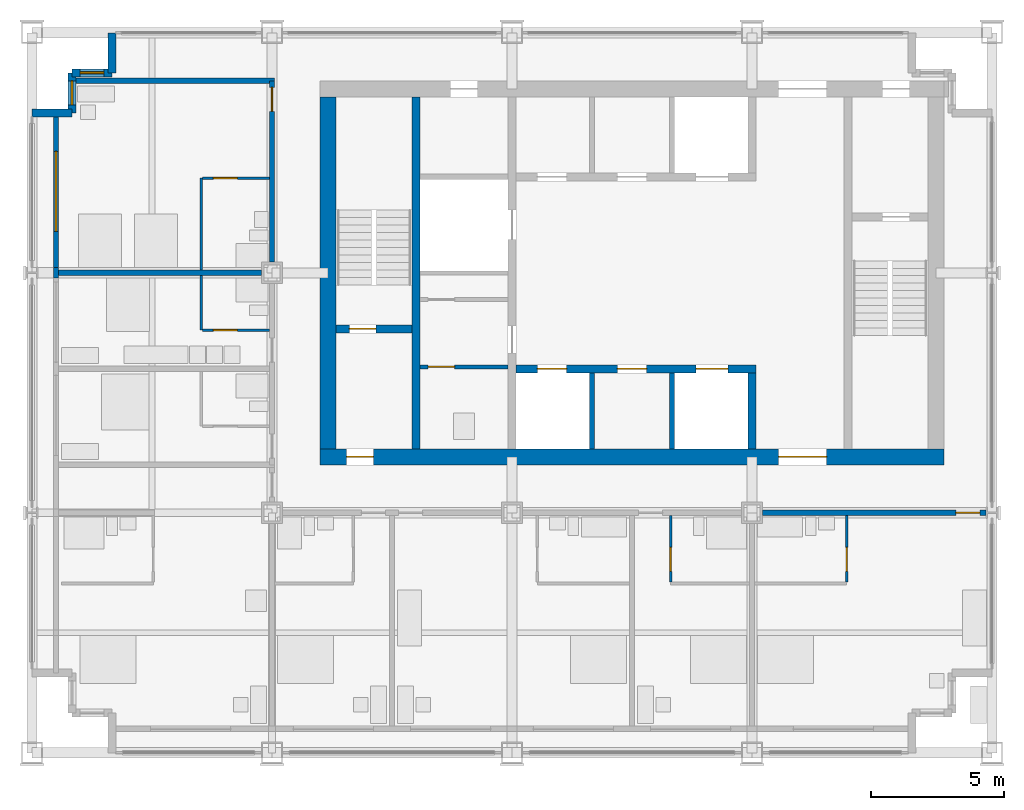
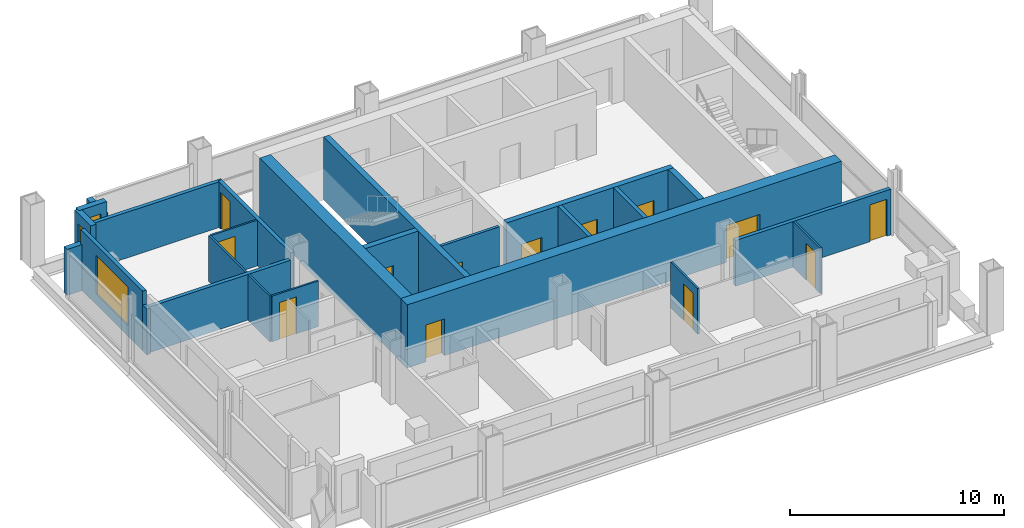
# One storey, part 7 of 12: 25 walls, 13 doors, 3 windows, 16 openings.
"""IFC4 building model written with IfcOpenShell, lengths in metres."""

from ifc_helpers import new_model, si_unit, direction, frame, frame_2d, origin, place, context, subcontext, project, spatial, rectangle, extrude, material, layer, layer_set, type_object, element, fill, save


model = new_model("IFC4")

# Units and contexts
model_context = context("Model", 3, precision=1e-05, world=origin(), true_north=direction((0.0, 1.0)))
body_context = subcontext(model_context, "Body", "Model", "MODEL_VIEW")
ifc_project = project(units=[si_unit("LENGTHUNIT", "METRE"), si_unit("AREAUNIT", "SQUARE_METRE"), si_unit("VOLUMEUNIT", "CUBIC_METRE"), si_unit("PLANEANGLEUNIT", "RADIAN"), si_unit("MASSUNIT", "GRAM", prefix="KILO")], contexts=[model_context])

# Site, building, storey
site_placement = place(None, origin())
site = spatial("IfcSite", under=ifc_project, at=site_placement, CompositionType="ELEMENT")
building_placement = place(site_placement, origin())
building = spatial("IfcBuilding", under=site, at=building_placement, Name="Loomwork Tower", CompositionType="ELEMENT")
storey_placement = place(building_placement, frame((0.0, 0.0, 230.199951171875)))
storey = spatial("IfcBuildingStorey", under=building, at=storey_placement, Name="L63", CompositionType="ELEMENT", Elevation=230.199951171875)

# Wall
ifc_material_1 = material(Name="Concrete 14000 psi (97 MPa)", Category="concrete")
ifc_layer_1 = layer(ifc_material_1, 0.300048828125)
ifc_layer_set_1 = layer_set([ifc_layer_1], Name="Core shear wall 300")
wall_type_1 = type_object("IfcWallType", Name="Core shear wall 300", PredefinedType="SHEAR", material=ifc_layer_set_1)
wall_1_placement = place(storey_placement, frame((14.39990234375, 11.39990234375, 0.0), z_axis=(0.0, 0.0, 1.0), x_axis=(0.0, 1.0, 0.0)))
element("IfcWall", 1, at=wall_1_placement, inside=storey, type_object=wall_type_1, Name="Stair A east wall L63", PredefinedType="SHEAR", context=body_context, shape_type="SweptSolid", body=[
    extrude(rectangle(XDim=13.2001953125, YDim=0.300048828125, at=frame_2d((6.60009765625, 0.0))), origin(), (0.0, 0.0, 1.0), 3.60009765625),
])

# Wall, opening, door
wall_2_placement = place(storey_placement, frame((11.39990234375, 15.89990234375, 0.0), z_axis=(0.0, 0.0, 1.0), x_axis=(1.0, 0.0, 0.0)))
wall_2 = element("IfcWall", 2, at=wall_2_placement, inside=storey, type_object=wall_type_1, Name="Stair A south wall L63", PredefinedType="SHEAR", context=body_context, shape_type="SweptSolid", body=[
    extrude(rectangle(XDim=2.85009765625, YDim=0.300048828125, at=frame_2d((1.425048828125, 0.0))), origin(), (0.0, 0.0, 1.0), 3.60009765625),
])
opening_1_placement = place(wall_2_placement, frame((0.5, 0.0, 0.0)))
opening_1 = element("IfcOpeningElement", 3, at=opening_1_placement, cuts=wall_2, Name="Opening D4", PredefinedType="OPENING", context=body_context, shape_type="SweptSolid", body=[
    extrude(rectangle(XDim=1.0, YDim=2.10009765625, at=frame_2d((0.5, 1.050048828125))), frame((0.0, 0.159912109375, 0.0), z_axis=(0.0, -1.0, 0.0), x_axis=(1.0, 0.0, 0.0)), (0.0, 0.0, 1.0), 0.320068359375),
])
ifc_material_2 = material(Name="Hollow metal door and frame")
door_type_1 = type_object("IfcDoorType", Name="Stair door 1000", OperationType="SINGLE_SWING_RIGHT", PredefinedType="DOOR", material=ifc_material_2)
door_1_placement = place(opening_1_placement, origin())
door_1 = element("IfcDoor", 4, at=door_1_placement, inside=storey, type_object=door_type_1, Name="Stair A door", OperationType="SINGLE_SWING_LEFT", OverallHeight=2.10009765625, OverallWidth=1.0, PredefinedType="DOOR", context=body_context, shape_type="SweptSolid", body=[
    extrude(rectangle(XDim=1.0, YDim=2.10009765625, at=frame_2d((0.5, 1.050048828125))), frame((0.0, 0.02490234375, 0.0), z_axis=(0.0, -1.0, 0.0), x_axis=(1.0, 0.0, 0.0)), (0.0, 0.0, 1.0), 0.050048828125),
])
fill(opening_1, door_1)

# Wall, openings, doors
wall_3_placement = place(storey_placement, frame((18.14990234375, 14.39990234375, 0.0), z_axis=(0.0, 0.0, 1.0), x_axis=(1.0, 0.0, 0.0)))
wall_3 = element("IfcWall", 5, at=wall_3_placement, inside=storey, type_object=wall_type_1, Name="Lift front wall south L63", PredefinedType="SHEAR", context=body_context, shape_type="SweptSolid", body=[
    extrude(rectangle(XDim=9.0, YDim=0.300048828125, at=frame_2d((4.5, 0.0))), origin(), (0.0, 0.0, 1.0), 3.60009765625),
])
opening_2_placement = place(wall_3_placement, frame((0.800048828125, 0.0, 0.0)))
opening_2 = element("IfcOpeningElement", 6, at=opening_2_placement, cuts=wall_3, Name="Opening LD1", PredefinedType="OPENING", context=body_context, shape_type="SweptSolid", body=[
    extrude(rectangle(XDim=1.10009765625, YDim=2.10009765625, at=frame_2d((0.550048828125, 1.050048828125))), frame((0.0, 0.159912109375, 0.0), z_axis=(0.0, -1.0, 0.0), x_axis=(1.0, 0.0, 0.0)), (0.0, 0.0, 1.0), 0.320068359375),
])
opening_3_placement = place(wall_3_placement, frame((6.75, 0.0, 0.0)))
opening_3 = element("IfcOpeningElement", 7, at=opening_3_placement, cuts=wall_3, Name="Opening LD2", PredefinedType="OPENING", context=body_context, shape_type="SweptSolid", body=[
    extrude(rectangle(XDim=1.199951171875, YDim=2.10009765625, at=frame_2d((0.60009765625, 1.050048828125))), frame((0.0, 0.159912109375, 0.0), z_axis=(0.0, -1.0, 0.0), x_axis=(1.0, 0.0, 0.0)), (0.0, 0.0, 1.0), 0.320068359375),
])
opening_4_placement = place(wall_3_placement, frame((3.800048828125, 0.0, 0.0)))
opening_4 = element("IfcOpeningElement", 8, at=opening_4_placement, cuts=wall_3, Name="Opening D17", PredefinedType="OPENING", context=body_context, shape_type="SweptSolid", body=[
    extrude(rectangle(XDim=1.10009765625, YDim=2.10009765625, at=frame_2d((0.550048828125, 1.050048828125))), frame((0.0, 0.159912109375, 0.0), z_axis=(0.0, -1.0, 0.0), x_axis=(1.0, 0.0, 0.0)), (0.0, 0.0, 1.0), 0.320068359375),
])
ifc_material_3 = material(Name="Hollow metal door and frame")
door_type_2 = type_object("IfcDoorType", Name="Lift landing door 1100", OperationType="SLIDING_TO_LEFT", PredefinedType="DOOR", material=ifc_material_3)
door_2_placement = place(opening_2_placement, origin())
door_2 = element("IfcDoor", 9, at=door_2_placement, inside=storey, type_object=door_type_2, Name="Lift landing door LC1", OperationType="SLIDING_TO_LEFT", OverallHeight=2.10009765625, OverallWidth=1.10009765625, PredefinedType="DOOR", context=body_context, shape_type="SweptSolid", body=[
    extrude(rectangle(XDim=1.10009765625, YDim=2.10009765625, at=frame_2d((0.550048828125, 1.050048828125))), frame((0.0, 0.02490234375, 0.0), z_axis=(0.0, -1.0, 0.0), x_axis=(1.0, 0.0, 0.0)), (0.0, 0.0, 1.0), 0.050048828125),
])
fill(opening_2, door_2)
ifc_material_4 = material(Name="Hollow metal door and frame")
door_type_3 = type_object("IfcDoorType", Name="Lift landing door 1200", OperationType="SLIDING_TO_LEFT", PredefinedType="DOOR", material=ifc_material_4)
door_3_placement = place(opening_3_placement, origin())
door_3 = element("IfcDoor", 10, at=door_3_placement, inside=storey, type_object=door_type_3, Name="Lift landing door LF1", OperationType="SLIDING_TO_LEFT", OverallHeight=2.10009765625, OverallWidth=1.199951171875, PredefinedType="DOOR", context=body_context, shape_type="SweptSolid", body=[
    extrude(rectangle(XDim=1.199951171875, YDim=2.10009765625, at=frame_2d((0.60009765625, 1.050048828125))), frame((0.0, 0.02490234375, 0.0), z_axis=(0.0, -1.0, 0.0), x_axis=(1.0, 0.0, 0.0)), (0.0, 0.0, 1.0), 0.050048828125),
])
fill(opening_3, door_3)
ifc_material_5 = material(Name="Hollow metal door and frame")
door_type_4 = type_object("IfcDoorType", Name="Service room door 1100", OperationType="SINGLE_SWING_LEFT", PredefinedType="DOOR", material=ifc_material_5)
door_4_placement = place(opening_4_placement, frame((1.10009765625, 0.0, 0.0), z_axis=(0.0, 0.0, 1.0), x_axis=(-1.0, 0.0, 0.0)))
door_4 = element("IfcDoor", 11, at=door_4_placement, inside=storey, type_object=door_type_4, Name="Housekeeping store door L63", OperationType="SINGLE_SWING_RIGHT", OverallHeight=2.10009765625, OverallWidth=1.10009765625, PredefinedType="DOOR", context=body_context, shape_type="SweptSolid", body=[
    extrude(rectangle(XDim=1.10009765625, YDim=2.10009765625, at=frame_2d((0.550048828125, 1.050048828125))), frame((0.0, 0.02490234375, 0.0), z_axis=(0.0, -1.0, 0.0), x_axis=(1.0, 0.0, 0.0)), (0.0, 0.0, 1.0), 0.050048828125),
])
fill(opening_4, door_4)

# Wall
wall_4_placement = place(storey_placement, frame((27.0, 11.39990234375, 0.0), z_axis=(0.0, 0.0, 1.0), x_axis=(0.0, 1.0, 0.0)))
element("IfcWall", 12, at=wall_4_placement, inside=storey, type_object=wall_type_1, Name="Lift shaft end wall south L63", PredefinedType="SHEAR", context=body_context, shape_type="SweptSolid", body=[
    extrude(rectangle(XDim=2.85009765625, YDim=0.300048828125, at=frame_2d((1.425048828125, 0.0))), origin(), (0.0, 0.0, 1.0), 3.60009765625),
])

# Wall, openings, doors
ifc_material_6 = material(Name="Concrete 14000 psi (97 MPa)", Category="concrete")
ifc_layer_2 = layer(ifc_material_6, 0.60009765625)
ifc_layer_set_2 = layer_set([ifc_layer_2], Name="Core shear wall 600")
wall_type_2 = type_object("IfcWallType", Name="Core shear wall 600", PredefinedType="SHEAR", material=ifc_layer_set_2)
wall_5_placement = place(storey_placement, frame((10.800048828125, 11.10009765625, 0.0), z_axis=(0.0, 0.0, 1.0), x_axis=(1.0, 0.0, 0.0)))
wall_5 = element("IfcWall", 13, at=wall_5_placement, inside=storey, type_object=wall_type_2, Name="Core wall south L63", PredefinedType="SHEAR", context=body_context, shape_type="SweptSolid", body=[
    extrude(rectangle(XDim=23.39990234375, YDim=0.60009765625, at=frame_2d((11.699951171875, 0.0))), origin(), (0.0, 0.0, 1.0), 3.60009765625),
])
opening_5_placement = place(wall_5_placement, frame((1.0, 0.0, 0.0)))
opening_5 = element("IfcOpeningElement", 14, at=opening_5_placement, cuts=wall_5, Name="Opening D4", PredefinedType="OPENING", context=body_context, shape_type="SweptSolid", body=[
    extrude(rectangle(XDim=1.0, YDim=2.10009765625, at=frame_2d((0.5, 1.050048828125))), frame((0.0, 0.31005859375, 0.0), z_axis=(0.0, -1.0, 0.0), x_axis=(1.0, 0.0, 0.0)), (0.0, 0.0, 1.0), 0.6201171875),
])
opening_6_placement = place(wall_5_placement, frame((17.199951171875, 0.0, 0.0)))
opening_6 = element("IfcOpeningElement", 15, at=opening_6_placement, cuts=wall_5, Name="Opening D6", PredefinedType="OPENING", context=body_context, shape_type="SweptSolid", body=[
    extrude(rectangle(XDim=1.800048828125, YDim=2.10009765625, at=frame_2d((0.89990234375, 1.050048828125))), frame((0.0, 0.31005859375, 0.0), z_axis=(0.0, -1.0, 0.0), x_axis=(1.0, 0.0, 0.0)), (0.0, 0.0, 1.0), 0.6201171875),
])
ifc_material_7 = material(Name="Hollow metal door and frame")
door_type_5 = type_object("IfcDoorType", Name="Lobby passage double door 1800", OperationType="DOUBLE_DOOR_SINGLE_SWING", PredefinedType="DOOR", material=ifc_material_7)
door_5_placement = place(opening_6_placement, origin())
door_5 = element("IfcDoor", 16, at=door_5_placement, inside=storey, type_object=door_type_5, Name="Lobby passage door south", OperationType="DOUBLE_DOOR_SINGLE_SWING", OverallHeight=2.10009765625, OverallWidth=1.800048828125, PredefinedType="DOOR", context=body_context, shape_type="SweptSolid", body=[
    extrude(rectangle(XDim=1.800048828125, YDim=2.10009765625, at=frame_2d((0.89990234375, 1.050048828125))), frame((0.0, 0.02490234375, 0.0), z_axis=(0.0, -1.0, 0.0), x_axis=(1.0, 0.0, 0.0)), (0.0, 0.0, 1.0), 0.050048828125),
])
fill(opening_6, door_5)
door_6_placement = place(opening_5_placement, origin())
door_6 = element("IfcDoor", 17, at=door_6_placement, inside=storey, type_object=door_type_1, Name="Stair A vestibule door", OperationType="SINGLE_SWING_LEFT", OverallHeight=2.10009765625, OverallWidth=1.0, PredefinedType="DOOR", context=body_context, shape_type="SweptSolid", body=[
    extrude(rectangle(XDim=1.0, YDim=2.10009765625, at=frame_2d((0.5, 1.050048828125))), frame((0.0, 0.02490234375, 0.0), z_axis=(0.0, -1.0, 0.0), x_axis=(1.0, 0.0, 0.0)), (0.0, 0.0, 1.0), 0.050048828125),
])
fill(opening_5, door_6)

# Wall
wall_6_placement = place(storey_placement, frame((11.10009765625, 11.39990234375, 0.0), z_axis=(0.0, 0.0, 1.0), x_axis=(0.0, 1.0, 0.0)))
element("IfcWall", 18, at=wall_6_placement, inside=storey, type_object=wall_type_2, Name="Core wall west L63", PredefinedType="SHEAR", context=body_context, shape_type="SweptSolid", body=[
    extrude(rectangle(XDim=13.2001953125, YDim=0.60009765625, at=frame_2d((6.60009765625, 0.0))), origin(), (0.0, 0.0, 1.0), 3.60009765625),
])

# Wall, opening, door
ifc_material_8 = material(Name="Gypsum board on steel studs, one-hour", Category="steel")
ifc_layer_3 = layer(ifc_material_8, 0.199951171875)
ifc_layer_set_3 = layer_set([ifc_layer_3], Name="Corridor wall 200")
wall_type_3 = type_object("IfcWallType", Name="Corridor wall 200", PredefinedType="PARTITIONING", material=ifc_layer_set_3)
wall_7_placement = place(storey_placement, frame((27.39990234375, 9.0, 0.0), z_axis=(0.0, 0.0, 1.0), x_axis=(1.0, 0.0, 0.0)))
wall_7 = element("IfcWall", 19, at=wall_7_placement, inside=storey, type_object=wall_type_3, Name="South corridor wall 4", PredefinedType="PARTITIONING", context=body_context, shape_type="SweptSolid", body=[
    extrude(rectangle(XDim=8.36767578125, YDim=0.199951171875, at=frame_2d((4.183837890625, 0.0))), origin(), (0.0, 0.0, 1.0), 2.60498046875),
])
opening_7_placement = place(wall_7_placement, frame((7.25, 0.0, 0.0)))
opening_7 = element("IfcOpeningElement", 20, at=opening_7_placement, cuts=wall_7, Name="Opening D1", PredefinedType="OPENING", context=body_context, shape_type="SweptSolid", body=[
    extrude(rectangle(XDim=0.89990234375, YDim=2.10009765625, at=frame_2d((0.449951171875, 1.050048828125))), frame((0.0, 0.10986328125, 0.0), z_axis=(0.0, -1.0, 0.0), x_axis=(1.0, 0.0, 0.0)), (0.0, 0.0, 1.0), 0.219970703125),
])
ifc_material_9 = material(Name="Hollow metal door and frame")
door_type_6 = type_object("IfcDoorType", Name="Guest room entry door 900", OperationType="SINGLE_SWING_LEFT", PredefinedType="DOOR", material=ifc_material_9)
door_7_placement = place(opening_7_placement, frame((0.89990234375, 0.0, 0.0), z_axis=(0.0, 0.0, 1.0), x_axis=(-1.0, 0.0, 0.0)))
door_7 = element("IfcDoor", 21, at=door_7_placement, inside=storey, type_object=door_type_6, Name="Guest room entry door L63 5", OperationType="SINGLE_SWING_RIGHT", OverallHeight=2.10009765625, OverallWidth=0.89990234375, PredefinedType="DOOR", context=body_context, shape_type="SweptSolid", body=[
    extrude(rectangle(XDim=0.89990234375, YDim=2.10009765625, at=frame_2d((0.449951171875, 1.050048828125))), frame((0.0, 0.02490234375, 0.0), z_axis=(0.0, -1.0, 0.0), x_axis=(1.0, 0.0, 0.0)), (0.0, 0.0, 1.0), 0.050048828125),
])
fill(opening_7, door_7)

wall_8_placement = place(storey_placement, frame((9.0, 18.39990234375, 0.0), z_axis=(0.0, 0.0, 1.0), x_axis=(0.0, 1.0, 0.0)))
wall_8 = element("IfcWall", 22, at=wall_8_placement, inside=storey, type_object=wall_type_3, Name="West corridor wall 2", PredefinedType="PARTITIONING", context=body_context, shape_type="SweptSolid", body=[
    extrude(rectangle(XDim=6.800048828125, YDim=0.199951171875, at=frame_2d((3.39990234375, 0.0))), origin(), (0.0, 0.0, 1.0), 2.60498046875),
])
opening_8_placement = place(wall_8_placement, frame((5.64990234375, 0.0, 0.0)))
opening_8 = element("IfcOpeningElement", 23, at=opening_8_placement, cuts=wall_8, Name="Opening D1", PredefinedType="OPENING", context=body_context, shape_type="SweptSolid", body=[
    extrude(rectangle(XDim=0.89990234375, YDim=2.10009765625, at=frame_2d((0.449951171875, 1.050048828125))), frame((0.0, 0.10986328125, 0.0), z_axis=(0.0, -1.0, 0.0), x_axis=(1.0, 0.0, 0.0)), (0.0, 0.0, 1.0), 0.219970703125),
])
door_8_placement = place(opening_8_placement, origin())
door_8 = element("IfcDoor", 24, at=door_8_placement, inside=storey, type_object=door_type_6, Name="Guest room entry door L63 8", OperationType="SINGLE_SWING_RIGHT", OverallHeight=2.10009765625, OverallWidth=0.89990234375, PredefinedType="DOOR", context=body_context, shape_type="SweptSolid", body=[
    extrude(rectangle(XDim=0.89990234375, YDim=2.10009765625, at=frame_2d((0.449951171875, 1.050048828125))), frame((0.0, 0.02490234375, 0.0), z_axis=(0.0, -1.0, 0.0), x_axis=(1.0, 0.0, 0.0)), (0.0, 0.0, 1.0), 0.050048828125),
])
fill(opening_8, door_8)

# Wall
wall_9_placement = place(storey_placement, frame((1.64990234375, 25.199951171875, 0.0), z_axis=(0.0, 0.0, 1.0), x_axis=(1.0, 0.0, 0.0)))
element("IfcWall", 25, at=wall_9_placement, inside=storey, type_object=wall_type_3, Name="West band end wall N", PredefinedType="PARTITIONING", context=body_context, shape_type="SweptSolid", body=[
    extrude(rectangle(XDim=7.4501953125, YDim=0.199951171875, at=frame_2d((3.72509765625, 0.0))), origin(), (0.0, 0.0, 1.0), 2.60400390625),
])

# Wall, opening, door
ifc_material_10 = material(Name="Cement board on steel studs", Category="steel")
ifc_layer_4 = layer(ifc_material_10, 0.10009765625)
ifc_layer_set_4 = layer_set([ifc_layer_4], Name="En-suite partition 100")
wall_type_4 = type_object("IfcWallType", Name="En-suite partition 100", PredefinedType="PARTITIONING", material=ifc_layer_set_4)
wall_10_placement = place(storey_placement, frame((23.949951171875, 8.89990234375, 0.0), z_axis=(0.0, 0.0, 1.0), x_axis=(0.0, -1.0, 0.0)))
wall_10 = element("IfcWall", 26, at=wall_10_placement, inside=storey, type_object=wall_type_4, Name="En-suite side wall L63 room 4", PredefinedType="PARTITIONING", context=body_context, shape_type="SweptSolid", body=[
    extrude(rectangle(XDim=2.5, YDim=0.10009765625, at=frame_2d((1.25, 0.0))), origin(), (0.0, 0.0, 1.0), 2.60400390625),
])
opening_9_placement = place(wall_10_placement, frame((1.199951171875, 0.0, 0.0)))
opening_9 = element("IfcOpeningElement", 27, at=opening_9_placement, cuts=wall_10, Name="Opening D3", PredefinedType="OPENING", context=body_context, shape_type="SweptSolid", body=[
    extrude(rectangle(XDim=0.89990234375, YDim=2.10009765625, at=frame_2d((0.449951171875, 1.050048828125))), frame((0.0, 0.06005859375, 0.0), z_axis=(0.0, -1.0, 0.0), x_axis=(1.0, 0.0, 0.0)), (0.0, 0.0, 1.0), 0.1201171875),
])
ifc_material_11 = material(Name="Hollow metal door and frame")
door_type_7 = type_object("IfcDoorType", Name="Accessible en-suite door 900", OperationType="SLIDING_TO_LEFT", PredefinedType="DOOR", material=ifc_material_11)
door_9_placement = place(opening_9_placement, origin())
door_9 = element("IfcDoor", 28, at=door_9_placement, inside=storey, type_object=door_type_7, Name="Accessible en-suite door room 4", OperationType="SLIDING_TO_LEFT", OverallHeight=2.10009765625, OverallWidth=0.89990234375, PredefinedType="DOOR", context=body_context, shape_type="SweptSolid", body=[
    extrude(rectangle(XDim=0.89990234375, YDim=2.10009765625, at=frame_2d((0.449951171875, 1.050048828125))), frame((0.0, 0.02490234375, 0.0), z_axis=(0.0, -1.0, 0.0), x_axis=(1.0, 0.0, 0.0)), (0.0, 0.0, 1.0), 0.050048828125),
])
fill(opening_9, door_9)

wall_11_placement = place(storey_placement, frame((30.550048828125, 8.89990234375, 0.0), z_axis=(0.0, 0.0, 1.0), x_axis=(0.0, -1.0, 0.0)))
wall_11 = element("IfcWall", 29, at=wall_11_placement, inside=storey, type_object=wall_type_4, Name="En-suite side wall L63 room 5", PredefinedType="PARTITIONING", context=body_context, shape_type="SweptSolid", body=[
    extrude(rectangle(XDim=2.5, YDim=0.10009765625, at=frame_2d((1.25, 0.0))), origin(), (0.0, 0.0, 1.0), 2.60400390625),
])
opening_10_placement = place(wall_11_placement, frame((1.199951171875, 0.0, 0.0)))
opening_10 = element("IfcOpeningElement", 30, at=opening_10_placement, cuts=wall_11, Name="Opening D2", PredefinedType="OPENING", context=body_context, shape_type="SweptSolid", body=[
    extrude(rectangle(XDim=0.89990234375, YDim=2.10009765625, at=frame_2d((0.449951171875, 1.050048828125))), frame((0.0, 0.06005859375, 0.0), z_axis=(0.0, -1.0, 0.0), x_axis=(1.0, 0.0, 0.0)), (0.0, 0.0, 1.0), 0.1201171875),
])
ifc_material_12 = material(Name="Hollow metal door and frame")
door_type_8 = type_object("IfcDoorType", Name="En-suite door 900", OperationType="SINGLE_SWING_LEFT", PredefinedType="DOOR", material=ifc_material_12)
door_10_placement = place(opening_10_placement, frame((0.89990234375, 0.0, 0.0), z_axis=(0.0, 0.0, 1.0), x_axis=(-1.0, 0.0, 0.0)))
door_10 = element("IfcDoor", 31, at=door_10_placement, inside=storey, type_object=door_type_8, Name="En-suite door room 5", OperationType="SINGLE_SWING_LEFT", OverallHeight=2.10009765625, OverallWidth=0.89990234375, PredefinedType="DOOR", context=body_context, shape_type="SweptSolid", body=[
    extrude(rectangle(XDim=0.89990234375, YDim=2.10009765625, at=frame_2d((0.449951171875, 1.050048828125))), frame((0.0, 0.02490234375, 0.0), z_axis=(0.0, -1.0, 0.0), x_axis=(1.0, 0.0, 0.0)), (0.0, 0.0, 1.0), 0.050048828125),
])
fill(opening_10, door_10)

# Wall
wall_12_placement = place(storey_placement, frame((6.35009765625, 15.85009765625, 0.0), z_axis=(0.0, 0.0, 1.0), x_axis=(0.0, 1.0, 0.0)))
element("IfcWall", 32, at=wall_12_placement, inside=storey, type_object=wall_type_4, Name="En-suite wall L63 room 7", PredefinedType="PARTITIONING", context=body_context, shape_type="SweptSolid", body=[
    extrude(rectangle(XDim=2.0498046875, YDim=0.10009765625, at=frame_2d((1.02490234375, 0.0))), origin(), (0.0, 0.0, 1.0), 2.60400390625),
])

# Wall, opening, door
wall_13_placement = place(storey_placement, frame((8.89990234375, 15.85009765625, 0.0), z_axis=(0.0, 0.0, 1.0), x_axis=(-1.0, 0.0, 0.0)))
wall_13 = element("IfcWall", 33, at=wall_13_placement, inside=storey, type_object=wall_type_4, Name="En-suite side wall L63 room 7", PredefinedType="PARTITIONING", context=body_context, shape_type="SweptSolid", body=[
    extrude(rectangle(XDim=2.5, YDim=0.10009765625, at=frame_2d((1.25, 0.0))), origin(), (0.0, 0.0, 1.0), 2.60400390625),
])
opening_11_placement = place(wall_13_placement, frame((1.199951171875, 0.0, 0.0)))
opening_11 = element("IfcOpeningElement", 34, at=opening_11_placement, cuts=wall_13, Name="Opening D2", PredefinedType="OPENING", context=body_context, shape_type="SweptSolid", body=[
    extrude(rectangle(XDim=0.89990234375, YDim=2.10009765625, at=frame_2d((0.449951171875, 1.050048828125))), frame((0.0, 0.06005859375, 0.0), z_axis=(0.0, -1.0, 0.0), x_axis=(1.0, 0.0, 0.0)), (0.0, 0.0, 1.0), 0.1201171875),
])
door_11_placement = place(opening_11_placement, frame((0.89990234375, 0.0, 0.0), z_axis=(0.0, 0.0, 1.0), x_axis=(-1.0, 0.0, 0.0)))
door_11 = element("IfcDoor", 35, at=door_11_placement, inside=storey, type_object=door_type_8, Name="En-suite door room 7", OperationType="SINGLE_SWING_LEFT", OverallHeight=2.10009765625, OverallWidth=0.89990234375, PredefinedType="DOOR", context=body_context, shape_type="SweptSolid", body=[
    extrude(rectangle(XDim=0.89990234375, YDim=2.10009765625, at=frame_2d((0.449951171875, 1.050048828125))), frame((0.0, 0.02490234375, 0.0), z_axis=(0.0, -1.0, 0.0), x_axis=(1.0, 0.0, 0.0)), (0.0, 0.0, 1.0), 0.050048828125),
])
fill(opening_11, door_11)

# Wall
wall_14_placement = place(storey_placement, frame((6.35009765625, 18.10009765625, 0.0), z_axis=(0.0, 0.0, 1.0), x_axis=(0.0, 1.0, 0.0)))
element("IfcWall", 36, at=wall_14_placement, inside=storey, type_object=wall_type_4, Name="En-suite wall L63 room 8", PredefinedType="PARTITIONING", context=body_context, shape_type="SweptSolid", body=[
    extrude(rectangle(XDim=3.449951171875, YDim=0.10009765625, at=frame_2d((1.72509765625, 0.0))), origin(), (0.0, 0.0, 1.0), 2.60400390625),
])

# Wall, opening, door
wall_15_placement = place(storey_placement, frame((8.89990234375, 21.550048828125, 0.0), z_axis=(0.0, 0.0, 1.0), x_axis=(-1.0, 0.0, 0.0)))
wall_15 = element("IfcWall", 37, at=wall_15_placement, inside=storey, type_object=wall_type_4, Name="En-suite side wall L63 room 8", PredefinedType="PARTITIONING", context=body_context, shape_type="SweptSolid", body=[
    extrude(rectangle(XDim=2.5, YDim=0.10009765625, at=frame_2d((1.25, 0.0))), origin(), (0.0, 0.0, 1.0), 2.60400390625),
])
opening_12_placement = place(wall_15_placement, frame((1.199951171875, 0.0, 0.0)))
opening_12 = element("IfcOpeningElement", 38, at=opening_12_placement, cuts=wall_15, Name="Opening D2", PredefinedType="OPENING", context=body_context, shape_type="SweptSolid", body=[
    extrude(rectangle(XDim=0.89990234375, YDim=2.10009765625, at=frame_2d((0.449951171875, 1.050048828125))), frame((0.0, 0.06005859375, 0.0), z_axis=(0.0, -1.0, 0.0), x_axis=(1.0, 0.0, 0.0)), (0.0, 0.0, 1.0), 0.1201171875),
])
door_12_placement = place(opening_12_placement, origin())
door_12 = element("IfcDoor", 39, at=door_12_placement, inside=storey, type_object=door_type_8, Name="En-suite door room 8", OperationType="SINGLE_SWING_RIGHT", OverallHeight=2.10009765625, OverallWidth=0.89990234375, PredefinedType="DOOR", context=body_context, shape_type="SweptSolid", body=[
    extrude(rectangle(XDim=0.89990234375, YDim=2.10009765625, at=frame_2d((0.449951171875, 1.050048828125))), frame((0.0, 0.02490234375, 0.0), z_axis=(0.0, -1.0, 0.0), x_axis=(1.0, 0.0, 0.0)), (0.0, 0.0, 1.0), 0.050048828125),
])
fill(opening_12, door_12)

# Walls
ifc_material_13 = material(Name="Gypsum board on steel studs, acoustic", Category="steel")
ifc_layer_5 = layer(ifc_material_13, 0.199951171875)
ifc_layer_set_5 = layer_set([ifc_layer_5], Name="Guest room party wall 200")
wall_type_5 = type_object("IfcWallType", Name="Guest room party wall 200", PredefinedType="PARTITIONING", material=ifc_layer_set_5)
wall_16_placement = place(storey_placement, frame((8.60009765625, 18.0, 0.0), z_axis=(0.0, 0.0, 1.0), x_axis=(-1.0, 0.0, 0.0)))
element("IfcWall", 40, at=wall_16_placement, inside=storey, type_object=wall_type_5, Name="Guest room party wall W 18", PredefinedType="PARTITIONING", context=body_context, shape_type="SweptSolid", body=[
    extrude(rectangle(XDim=7.60009765625, YDim=0.199951171875, at=frame_2d((3.800048828125, 0.0))), origin(), (0.0, 0.0, 1.0), 2.60498046875),
])
ifc_material_14 = material(Name="Insulated steel stud wall with gypsum lining", Category="steel")
ifc_layer_6 = layer(ifc_material_14, 0.199951171875)
ifc_layer_set_6 = layer_set([ifc_layer_6], Name="Inner skin wall 200")
wall_type_6 = type_object("IfcWallType", Name="Inner skin wall 200", PredefinedType="SOLIDWALL", material=ifc_layer_set_6)
wall_17_placement = place(storey_placement, frame((0.89990234375, 17.80615234375, 0.0), z_axis=(0.0, 0.0, 1.0), x_axis=(0.0, 1.0, 0.0)))
element("IfcWall", 41, at=wall_17_placement, inside=storey, type_object=wall_type_6, Name="Inner skin wall W bay 6", PredefinedType="SOLIDWALL", context=body_context, shape_type="SweptSolid", body=[
    extrude(rectangle(XDim=0.3876953125, YDim=0.199951171875, at=frame_2d((0.19384765625, 0.0))), origin(), (0.0, 0.0, 1.0), 2.60400390625),
])

# Wall, opening, window
wall_18_placement = place(storey_placement, frame((0.89990234375, 18.19384765625, 0.0), z_axis=(0.0, 0.0, 1.0), x_axis=(0.0, 1.0, 0.0)))
wall_18 = element("IfcWall", 42, at=wall_18_placement, inside=storey, type_object=wall_type_6, Name="Inner skin wall W bay 7", PredefinedType="SOLIDWALL", context=body_context, shape_type="SweptSolid", body=[
    extrude(rectangle(XDim=5.80615234375, YDim=0.199951171875, at=frame_2d((2.903076171875, 0.0))), origin(), (0.0, 0.0, 1.0), 3.400146484375),
])
opening_13_placement = place(wall_18_placement, frame((1.356201171875, 0.0, 0.60009765625)))
opening_13 = element("IfcOpeningElement", 43, at=opening_13_placement, cuts=wall_18, Name="Opening CH1", PredefinedType="OPENING", context=body_context, shape_type="SweptSolid", body=[
    extrude(rectangle(XDim=3.0, YDim=2.199951171875, at=frame_2d((1.5, 1.10009765625))), frame((0.0, 0.10986328125, 0.0), z_axis=(0.0, -1.0, 0.0), x_axis=(1.0, 0.0, 0.0)), (0.0, 0.0, 1.0), 0.219970703125),
])
ifc_material_15 = material(Name="Aluminium frame with clear insulated glass", Category="aluminium")
window_type_1 = type_object("IfcWindowType", Name="Chicago window 3000", PartitioningType="TRIPLE_PANEL_VERTICAL", PredefinedType="WINDOW", material=ifc_material_15)
window_1_placement = place(opening_13_placement, origin())
window_1 = element("IfcWindow", 44, at=window_1_placement, inside=storey, type_object=window_type_1, Name="Chicago window L63 bay 6", OverallHeight=2.199951171875, OverallWidth=3.0, PartitioningType="TRIPLE_PANEL_VERTICAL", PredefinedType="WINDOW", context=body_context, shape_type="SweptSolid", body=[
    extrude(rectangle(XDim=3.0, YDim=2.199951171875, at=frame_2d((1.5, 1.10009765625))), frame((0.0, 0.030029296875, 0.0), z_axis=(0.0, -1.0, 0.0), x_axis=(1.0, 0.0, 0.0)), (0.0, 0.0, 1.0), 0.06005859375),
])
fill(opening_13, window_1)

# Walls
ifc_material_16 = material(Name="Concrete 14000 psi (97 MPa)", Category="concrete")
ifc_layer_7 = layer(ifc_material_16, 0.199951171875)
ifc_layer_set_7 = layer_set([ifc_layer_7], Name="Lift shaft wall 200")
wall_type_7 = type_object("IfcWallType", Name="Lift shaft wall 200", PredefinedType="SHEAR", material=ifc_layer_set_7)
for number, where, z_axis, x_axis, name in (
    (45, (21.0, 11.39990234375, 0.0), (0.0, 0.0, 1.0), (0.0, 1.0, 0.0), "Lift shaft separation wall south 1 L63"),
    (46, (24.0, 11.39990234375, 0.0), (0.0, 0.0, 1.0), (0.0, 1.0, 0.0), "Lift shaft separation wall south 2 L63"),
):
    element("IfcWall", number, at=place(storey_placement, frame(where, z_axis=z_axis, x_axis=x_axis)), inside=storey, type_object=wall_type_7, Name=name, PredefinedType="SHEAR", context=body_context, shape_type="SweptSolid", body=[
        extrude(rectangle(XDim=2.85009765625, YDim=0.199951171875, at=frame_2d((1.425048828125, 0.0))), origin(), (0.0, 0.0, 1.0), 3.60009765625),
    ])
ifc_material_17 = material(Name="Limestone on concrete masonry", Category="masonry")
ifc_layer_8 = layer(ifc_material_17, 0.300048828125)
ifc_layer_set_8 = layer_set([ifc_layer_8], Name="Limestone corner wall 300")
wall_type_8 = type_object("IfcWallType", Name="Limestone corner wall 300", PredefinedType="SOLIDWALL", material=ifc_layer_set_8)
wall_19_placement = place(storey_placement, frame((3.0, 27.0, 0.0), z_axis=(0.0, 0.0, 1.0), x_axis=(0.0, -1.0, 0.0)))
element("IfcWall", 47, at=wall_19_placement, inside=storey, type_object=wall_type_8, Name="Stone corner wall NW 1", PredefinedType="SOLIDWALL", context=body_context, shape_type="SweptSolid", body=[
    extrude(rectangle(XDim=1.5, YDim=0.300048828125, at=frame_2d((0.75, 0.0))), origin(), (0.0, 0.0, 1.0), 2.6201171875),
])

# Wall, opening, window
wall_20_placement = place(storey_placement, frame((3.0, 25.5, 0.0), z_axis=(0.0, 0.0, 1.0), x_axis=(-1.0, 0.0, 0.0)))
wall_20 = element("IfcWall", 48, at=wall_20_placement, inside=storey, type_object=wall_type_8, Name="Stone corner wall NW 2", PredefinedType="SOLIDWALL", context=body_context, shape_type="SweptSolid", body=[
    extrude(rectangle(XDim=1.5, YDim=0.300048828125, at=frame_2d((0.75, 0.0))), origin(), (0.0, 0.0, 1.0), 3.400146484375),
])
opening_14_placement = place(wall_20_placement, frame((0.300048828125, 0.0, 0.60009765625)))
opening_14 = element("IfcOpeningElement", 49, at=opening_14_placement, cuts=wall_20, Name="Opening CH2", PredefinedType="OPENING", context=body_context, shape_type="SweptSolid", body=[
    extrude(rectangle(XDim=0.89990234375, YDim=2.199951171875, at=frame_2d((0.449951171875, 1.10009765625))), frame((0.0, 0.159912109375, 0.0), z_axis=(0.0, -1.0, 0.0), x_axis=(1.0, 0.0, 0.0)), (0.0, 0.0, 1.0), 0.320068359375),
])
ifc_material_18 = material(Name="Aluminium frame with clear insulated glass", Category="aluminium")
window_type_2 = type_object("IfcWindowType", Name="Corner window 900", PartitioningType="SINGLE_PANEL", PredefinedType="WINDOW", material=ifc_material_18)
window_2_placement = place(opening_14_placement, origin())
window_2 = element("IfcWindow", 50, at=window_2_placement, inside=storey, type_object=window_type_2, Name="Corner window NW", OverallHeight=2.199951171875, OverallWidth=0.89990234375, PartitioningType="SINGLE_PANEL", PredefinedType="WINDOW", context=body_context, shape_type="SweptSolid", body=[
    extrude(rectangle(XDim=0.89990234375, YDim=2.199951171875, at=frame_2d((0.449951171875, 1.10009765625))), frame((0.0, 0.030029296875, 0.0), z_axis=(0.0, -1.0, 0.0), x_axis=(1.0, 0.0, 0.0)), (0.0, 0.0, 1.0), 0.06005859375),
])
fill(opening_14, window_2)

wall_21_placement = place(storey_placement, frame((1.5, 25.5, 0.0), z_axis=(0.0, 0.0, 1.0), x_axis=(0.0, -1.0, 0.0)))
wall_21 = element("IfcWall", 51, at=wall_21_placement, inside=storey, type_object=wall_type_8, Name="Stone corner wall NW 3", PredefinedType="SOLIDWALL", context=body_context, shape_type="SweptSolid", body=[
    extrude(rectangle(XDim=1.5, YDim=0.300048828125, at=frame_2d((0.75, 0.0))), origin(), (0.0, 0.0, 1.0), 3.400146484375),
])
opening_15_placement = place(wall_21_placement, frame((0.300048828125, 0.0, 0.60009765625)))
opening_15 = element("IfcOpeningElement", 52, at=opening_15_placement, cuts=wall_21, Name="Opening CH2", PredefinedType="OPENING", context=body_context, shape_type="SweptSolid", body=[
    extrude(rectangle(XDim=0.89990234375, YDim=2.199951171875, at=frame_2d((0.449951171875, 1.10009765625))), frame((0.0, 0.159912109375, 0.0), z_axis=(0.0, -1.0, 0.0), x_axis=(1.0, 0.0, 0.0)), (0.0, 0.0, 1.0), 0.320068359375),
])
window_3_placement = place(opening_15_placement, origin())
window_3 = element("IfcWindow", 53, at=window_3_placement, inside=storey, type_object=window_type_2, Name="Corner window NW", OverallHeight=2.199951171875, OverallWidth=0.89990234375, PartitioningType="SINGLE_PANEL", PredefinedType="WINDOW", context=body_context, shape_type="SweptSolid", body=[
    extrude(rectangle(XDim=0.89990234375, YDim=2.199951171875, at=frame_2d((0.449951171875, 1.10009765625))), frame((0.0, 0.030029296875, 0.0), z_axis=(0.0, -1.0, 0.0), x_axis=(1.0, 0.0, 0.0)), (0.0, 0.0, 1.0), 0.06005859375),
])
fill(opening_15, window_3)

# Wall
wall_22_placement = place(storey_placement, frame((1.5, 24.0, 0.0), z_axis=(0.0, 0.0, 1.0), x_axis=(-1.0, 0.0, 0.0)))
element("IfcWall", 54, at=wall_22_placement, inside=storey, type_object=wall_type_8, Name="Stone corner wall NW 4", PredefinedType="SOLIDWALL", context=body_context, shape_type="SweptSolid", body=[
    extrude(rectangle(XDim=1.5, YDim=0.300048828125, at=frame_2d((0.75, 0.0))), origin(), (0.0, 0.0, 1.0), 2.6201171875),
])

# Wall, opening, door
ifc_material_19 = material(Name="Gypsum board on steel studs, one-hour", Category="steel")
ifc_layer_9 = layer(ifc_material_19, 0.14990234375)
ifc_layer_set_9 = layer_set([ifc_layer_9], Name="Service partition 150")
wall_type_9 = type_object("IfcWallType", Name="Service partition 150", PredefinedType="PARTITIONING", material=ifc_layer_set_9)
wall_23_placement = place(storey_placement, frame((14.550048828125, 14.47509765625, 0.0), z_axis=(0.0, 0.0, 1.0), x_axis=(1.0, 0.0, 0.0)))
wall_23 = element("IfcWall", 55, at=wall_23_placement, inside=storey, type_object=wall_type_9, Name="Back-of-house partition L63", PredefinedType="PARTITIONING", context=body_context, shape_type="SweptSolid", body=[
    extrude(rectangle(XDim=3.300048828125, YDim=0.14990234375, at=frame_2d((1.64990234375, 0.0))), origin(), (0.0, 0.0, 1.0), 3.400146484375),
])
opening_16_placement = place(wall_23_placement, frame((0.300048828125, 0.0, 0.0)))
opening_16 = element("IfcOpeningElement", 56, at=opening_16_placement, cuts=wall_23, Name="Opening D5", PredefinedType="OPENING", context=body_context, shape_type="SweptSolid", body=[
    extrude(rectangle(XDim=1.0, YDim=2.10009765625, at=frame_2d((0.5, 1.050048828125))), frame((0.0, 0.0849609375, 0.0), z_axis=(0.0, -1.0, 0.0), x_axis=(1.0, 0.0, 0.0)), (0.0, 0.0, 1.0), 0.169921875),
])
ifc_material_20 = material(Name="Hollow metal door and frame")
door_type_9 = type_object("IfcDoorType", Name="Service door 1000", OperationType="SINGLE_SWING_LEFT", PredefinedType="DOOR", material=ifc_material_20)
door_13_placement = place(opening_16_placement, origin())
door_13 = element("IfcDoor", 57, at=door_13_placement, inside=storey, type_object=door_type_9, Name="Back-of-house room door", OperationType="SINGLE_SWING_LEFT", OverallHeight=2.10009765625, OverallWidth=1.0, PredefinedType="DOOR", context=body_context, shape_type="SweptSolid", body=[
    extrude(rectangle(XDim=1.0, YDim=2.10009765625, at=frame_2d((0.5, 1.050048828125))), frame((0.0, 0.02490234375, 0.0), z_axis=(0.0, -1.0, 0.0), x_axis=(1.0, 0.0, 0.0)), (0.0, 0.0, 1.0), 0.050048828125),
])
fill(opening_16, door_13)

save(model, "model.ifc")
